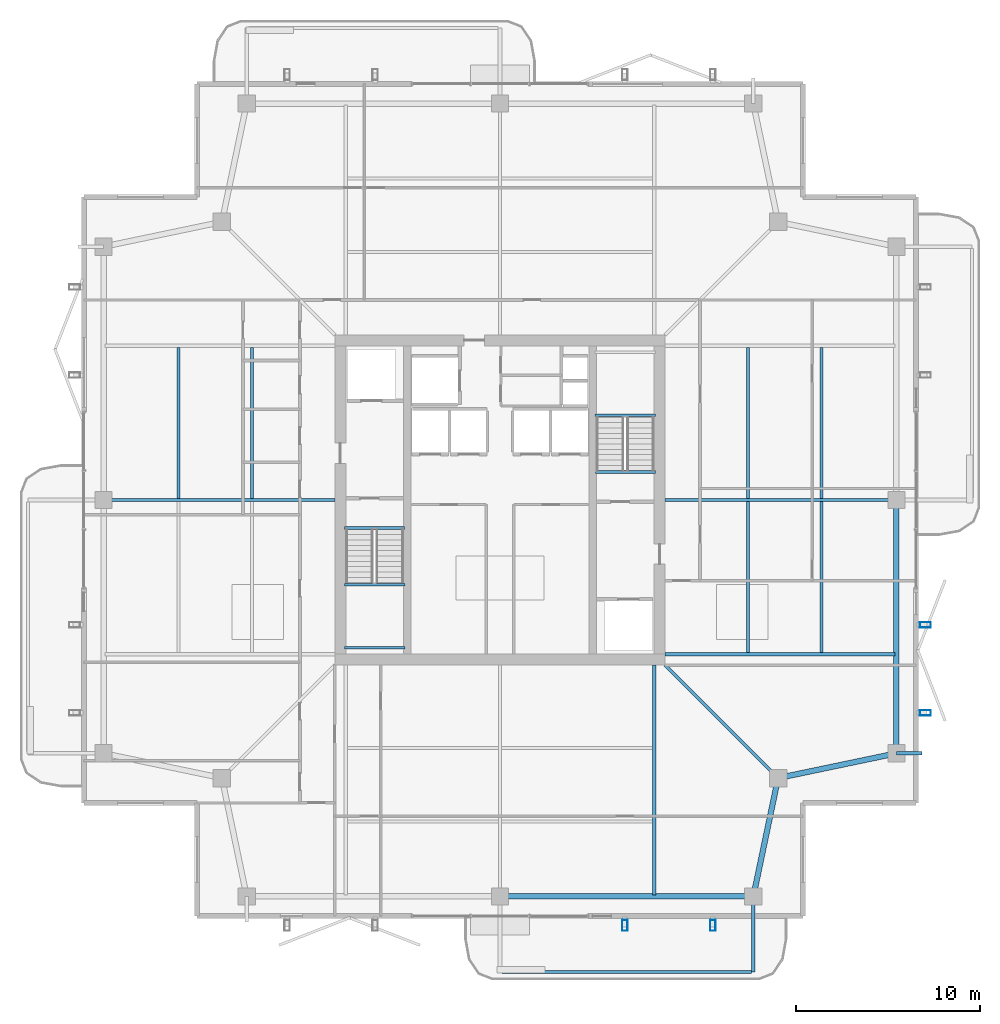
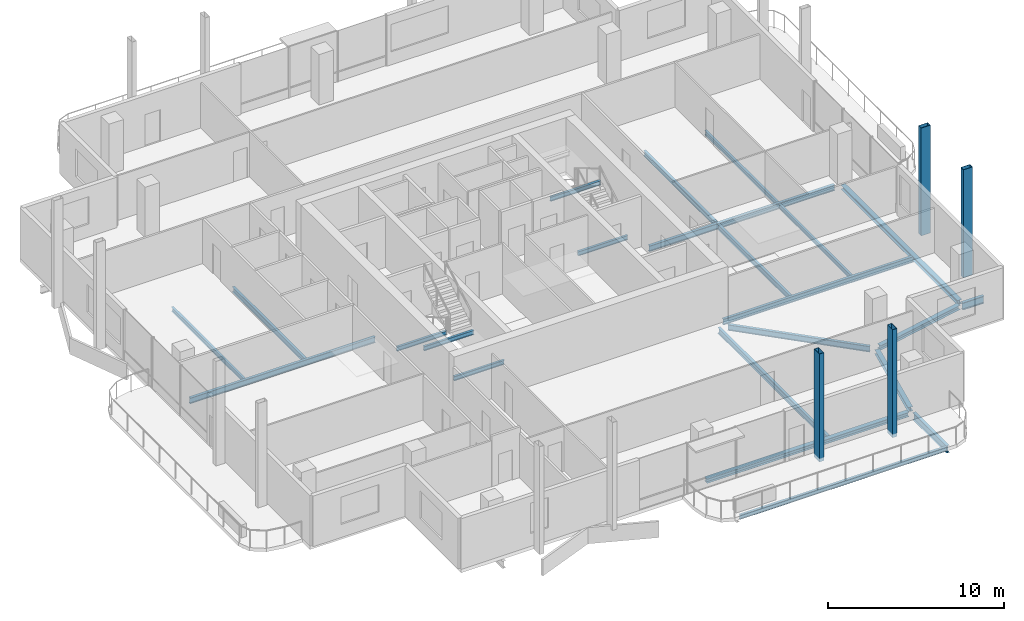
# One storey, part 8 of 20: 23 beams, 4 members.
"""IFC4 building model written with IfcOpenShell, lengths in metres."""

import ifcopenshell
import ifcopenshell.guid

model = None  # the IFC model being written
_history = None  # IfcOwnerHistory: only IFC2X3 demands one
_inside = {}  # id of a spatial element -> (the spatial element, [elements in it])
_under = {}  # id of a project, library or spatial element -> (it, [spatial elements below it])
_declared = {}  # id of a project -> (the project, [libraries it declares])
_typed = {}  # id of a type object -> (the type object, [elements of that type])
_made_of = {}  # id of a material, layer set ... -> (it, [elements and type objects made of it])


def new_model(schema):
    """Start an empty IFC model of exactly this schema.

    Asked for "IFC4X3", IfcOpenShell would pick the latest addendum, in which some entities
    have other attributes; the version numbers below select the first issue.
    IFC2X3 requires an IfcOwnerHistory on every rooted entity: one is made here for all.
    """
    global model, _history
    if schema == "IFC4X3":
        model = ifcopenshell.file(schema_version=(4, 3, 0, 0))
    else:
        model = ifcopenshell.file(schema=schema)
    _inside.clear()
    _under.clear()
    _declared.clear()
    _typed.clear()
    _made_of.clear()
    _history = None
    if model.schema == "IFC2X3":
        org = make("IfcOrganization", Name="unknown")
        user = make(
            "IfcPersonAndOrganization",
            ThePerson=make("IfcPerson", FamilyName="unknown"),
            TheOrganization=org,
        )
        app = make(
            "IfcApplication",
            ApplicationDeveloper=org,
            Version="unknown",
            ApplicationFullName="unknown",
            ApplicationIdentifier="unknown",
        )
        _history = make(
            "IfcOwnerHistory",
            OwningUser=user,
            OwningApplication=app,
            ChangeAction="ADDED",
            CreationDate=0,
        )
    return model


def make(cls, **values):
    """One entity of the class cls with the attributes given. An attribute that is None is left unset."""
    return model.create_entity(
        cls, **{name: value for name, value in values.items() if value is not None}
    )


def rooted(cls, **values):
    """An entity with a GlobalId (a new one), such as an element, a storey or a relation."""
    return make(cls, GlobalId=ifcopenshell.guid.new(), OwnerHistory=_history, **values)


def si_unit(unit_type, name, prefix=None):
    """IfcSIUnit, for example si_unit("LENGTHUNIT", "METRE", prefix="MILLI")."""
    return make("IfcSIUnit", UnitType=unit_type, Prefix=prefix, Name=name)


def assignment(units):
    """IfcUnitAssignment: the units of a project."""
    return None if units is None else make("IfcUnitAssignment", Units=units)


def point(xyz):
    """IfcCartesianPoint."""
    return None if xyz is None else make("IfcCartesianPoint", Coordinates=xyz)


def direction(xyz):
    """IfcDirection."""
    return None if xyz is None else make("IfcDirection", DirectionRatios=xyz)


def frame(location, z_axis=None, x_axis=None):
    """IfcAxis2Placement3D, a coordinate frame: its origin and axes. An axis left out is left unset."""
    return make(
        "IfcAxis2Placement3D",
        Location=point(location),
        Axis=direction(z_axis),
        RefDirection=direction(x_axis),
    )


def frame_2d(location, x_axis=None):
    """IfcAxis2Placement2D, a coordinate frame in the plane: its origin and x axis."""
    return make(
        "IfcAxis2Placement2D", Location=point(location), RefDirection=direction(x_axis)
    )


def origin():
    """The frame at (0, 0, 0) with its axes left unset."""
    return frame((0.0, 0.0, 0.0))


def origin_2d():
    """The frame at (0, 0) in the plane with its x axis left unset."""
    return frame_2d((0.0, 0.0))


def place(relative_to, where):
    """IfcLocalPlacement: puts the frame where relative to a parent placement (None: the world)."""
    return make(
        "IfcLocalPlacement", PlacementRelTo=relative_to, RelativePlacement=where
    )


def context(
    kind, dimensions, precision=None, world=None, true_north=None, identifier=None
):
    """IfcGeometricRepresentationContext, for example the 3D "Model" context."""
    return make(
        "IfcGeometricRepresentationContext",
        ContextIdentifier=identifier,
        ContextType=kind,
        CoordinateSpaceDimension=dimensions,
        Precision=precision,
        WorldCoordinateSystem=world,
        TrueNorth=true_north,
    )


def subcontext(parent, identifier, kind, view, scale=None):
    """IfcGeometricRepresentationSubContext, for example "Body" below "Model"."""
    return make(
        "IfcGeometricRepresentationSubContext",
        ContextIdentifier=identifier,
        ContextType=kind,
        ParentContext=parent,
        TargetScale=scale,
        TargetView=view,
    )


def project(units=None, contexts=None):
    """IfcProject with its units and contexts."""
    return rooted(
        "IfcProject",
        Name="project",
        RepresentationContexts=contexts,
        UnitsInContext=assignment(units),
    )


def spatial(cls, under=None, at=None, **own):
    """A site, building, storey or space (cls), placed at a placement, below another one or the project."""
    s = rooted(cls, ObjectPlacement=at, **own)
    if under is not None:
        _under.setdefault(under.id(), (under, []))[1].append(s)
    return s


def profile(cls, at=None, kind="AREA", **sizes):
    """A parametric profile (cls). Its sizes go by their IFC names, for example OverallWidth=200.0."""
    return make(cls, ProfileType=kind, Position=at, **sizes)


def hollow_rectangle(**sizes):
    """IfcRectangleHollowProfileDef."""
    return profile("IfcRectangleHollowProfileDef", **sizes)


def i_section(**sizes):
    """IfcIShapeProfileDef."""
    return profile("IfcIShapeProfileDef", **sizes)


def extrude(swept, where, along, depth):
    """IfcExtrudedAreaSolid: the profile swept, set in the frame where, extruded along a direction by depth."""
    return make(
        "IfcExtrudedAreaSolid",
        SweptArea=swept,
        Position=where,
        ExtrudedDirection=direction(along),
        Depth=depth,
    )


def shape(context_of_items, identifier, shape_type, items):
    """IfcShapeRepresentation: the items that make up one representation, for example the "Body"."""
    return make(
        "IfcShapeRepresentation",
        ContextOfItems=context_of_items,
        RepresentationIdentifier=identifier,
        RepresentationType=shape_type,
        Items=items,
    )


def material(Name=None, Category=None):
    """IfcMaterial."""
    return make("IfcMaterial", Name=Name, Category=Category)


def material_profile(
    of_material, cross_section, Name=None, Category=None, Priority=None
):
    """IfcMaterialProfile: a cross section and its material."""
    return make(
        "IfcMaterialProfile",
        Name=Name,
        Material=of_material,
        Profile=cross_section,
        Priority=Priority,
        Category=Category,
    )


def profile_set(profiles, Name=None, composite=None):
    """IfcMaterialProfileSet."""
    return make(
        "IfcMaterialProfileSet",
        Name=Name,
        MaterialProfiles=profiles,
        CompositeProfile=composite,
    )


def made_of(thing, what):
    """Note that an element or type object is made of a material, layer set ...; save() writes the relation."""
    if what is not None:
        _made_of.setdefault(what.id(), (what, []))[1].append(thing)
    return thing


def type_object(cls, material=None, **own):
    """A type object (cls), such as IfcWallType, which elements share."""
    return made_of(rooted(cls, **own), material)


def element(
    cls,
    number,
    at=None,
    inside=None,
    cuts=None,
    type_object=None,
    material=None,
    context=None,
    identifier="Body",
    shape_type=None,
    held_by="IfcProductDefinitionShape",
    body=None,
    shapes=None,
    **own,
):
    """One element of the class cls, such as IfcWall. Its Tag is "e" and its number.

    at: its placement. inside: the storey or other place that contains it. cuts: it is an
    opening in that element (IfcRelVoidsElement). A single representation is given by context,
    identifier, shape_type and body (its items); several are given by shapes. held_by: the class
    of the entity that holds the representations. save() writes the other relations.
    """
    e = rooted(cls, Tag="e%d" % number, ObjectPlacement=at, **own)
    if body is not None:
        shapes = [shape(context, identifier, shape_type, body)]
    if shapes is not None:
        e.Representation = make(held_by, Representations=shapes)
    if inside is not None:
        _inside.setdefault(inside.id(), (inside, []))[1].append(e)
    if cuts is not None:
        rooted(
            "IfcRelVoidsElement", RelatingBuildingElement=cuts, RelatedOpeningElement=e
        )
    if type_object is not None:
        _typed.setdefault(type_object.id(), (type_object, []))[1].append(e)
    return made_of(e, material)


def aggregate(whole, parts):
    """IfcRelAggregates: a whole, such as a stair, and the parts it consists of."""
    return rooted("IfcRelAggregates", RelatingObject=whole, RelatedObjects=parts)


def save(model, path):
    """Write the relations noted so far, then the file.

    IfcRelAggregates (storeys below a building ...), IfcRelContainedInSpatialStructure (elements
    in a storey), IfcRelDefinesByType, IfcRelAssociatesMaterial and IfcRelDeclares: one each for
    every whole, place, type object, material and project.
    """
    for whole, parts in _under.values():
        aggregate(whole, parts)
    for where, things in _inside.values():
        rooted(
            "IfcRelContainedInSpatialStructure",
            RelatedElements=things,
            RelatingStructure=where,
        )
    for kind, things in _typed.values():
        rooted("IfcRelDefinesByType", RelatedObjects=things, RelatingType=kind)
    for what, things in _made_of.values():
        rooted("IfcRelAssociatesMaterial", RelatedObjects=things, RelatingMaterial=what)
    for by, libraries in _declared.values():
        rooted("IfcRelDeclares", RelatingContext=by, RelatedDefinitions=libraries)
    model.write(path)


model = new_model("IFC4")

# Units and contexts
model_context = context("Model", 3, precision=1e-05, world=origin(), true_north=direction((0.0, 1.0)))
body_context = subcontext(model_context, "Body", "Model", "MODEL_VIEW")
ifc_project = project(units=[si_unit("LENGTHUNIT", "METRE"), si_unit("AREAUNIT", "SQUARE_METRE"), si_unit("VOLUMEUNIT", "CUBIC_METRE"), si_unit("PLANEANGLEUNIT", "RADIAN"), si_unit("MASSUNIT", "GRAM", prefix="KILO")], contexts=[model_context])

# Site, building, storey
site_placement = place(None, origin())
site = spatial("IfcSite", under=ifc_project, at=site_placement, CompositionType="ELEMENT")
building_placement = place(site_placement, origin())
building = spatial("IfcBuilding", under=site, at=building_placement, Name="Belovzor Exchange Tower", CompositionType="ELEMENT")
storey_placement = place(building_placement, frame((0.0, 0.0, 306.75)))
storey = spatial("IfcBuildingStorey", under=building, at=storey_placement, Name="L76", CompositionType="ELEMENT", Elevation=306.75)

# Beams
ifc_material_1 = material(Name="Steel S355", Category="steel")
ifc_material_profile_1 = material_profile(ifc_material_1, i_section(OverallWidth=0.199951171875, OverallDepth=0.5, WebThickness=0.01025390625, FlangeThickness=0.01611328125, at=origin_2d()))
ifc_profile_set_1 = profile_set([ifc_material_profile_1], Name="Steel S355")
beam_type_1 = type_object("IfcBeamType", Name="Planted Balcony Cantilever Beam IPE 500", PredefinedType="BEAM", material=ifc_profile_set_1)
beam_1_placement = place(storey_placement, frame((42.60009765625, 6.93896484375, -0.489990234375), z_axis=(0.0, -1.0, 0.0), x_axis=(1.0, 0.0, 0.0)))
element("IfcBeam", 1, at=beam_1_placement, inside=storey, type_object=beam_type_1, Name="BC-500 Planted Balcony Cantilever Beam IPE 500", PredefinedType="BEAM", context=body_context, shape_type="SweptSolid", body=[
    extrude(i_section(OverallWidth=0.199951171875, OverallDepth=0.5, WebThickness=0.01025390625, FlangeThickness=0.01611328125, at=origin_2d()), origin(), (0.0, 0.0, 1.0), 3.849853515625),
])
beam_2_placement = place(storey_placement, frame((50.39990234375, 15.0, -0.489990234375), z_axis=(1.0, 0.0, 0.0), x_axis=(0.0, 1.0, 0.0)))
element("IfcBeam", 2, at=beam_2_placement, inside=storey, type_object=beam_type_1, Name="BC-500 Planted Balcony Cantilever Beam IPE 500", PredefinedType="BEAM", context=body_context, shape_type="SweptSolid", body=[
    extrude(i_section(OverallWidth=0.199951171875, OverallDepth=0.5, WebThickness=0.01025390625, FlangeThickness=0.01611328125, at=origin_2d()), origin(), (0.0, 0.0, 1.0), 1.400146484375),
])
ifc_material_2 = material(Name="Steel S355", Category="steel")
ifc_material_profile_2 = material_profile(ifc_material_2, i_section(OverallWidth=0.14990234375, OverallDepth=0.300048828125, WebThickness=0.007080078125, FlangeThickness=0.0107421875, at=origin_2d()))
ifc_profile_set_2 = profile_set([ifc_material_profile_2], Name="Steel S355")
beam_type_2 = type_object("IfcBeamType", Name="Planted Balcony Fascia Edge Beam IPE 300", PredefinedType="BEAM", material=ifc_profile_set_2)
beam_3_placement = place(storey_placement, frame((28.89990234375, 3.089111328125, -0.389892578125), z_axis=(1.0, 0.0, 0.0), x_axis=(0.0, 1.0, 0.0)))
element("IfcBeam", 3, at=beam_3_placement, inside=storey, type_object=beam_type_2, Name="BC-300 Planted Balcony Fascia Edge Beam IPE 300", PredefinedType="BEAM", context=body_context, shape_type="SweptSolid", body=[
    extrude(i_section(OverallWidth=0.14990234375, OverallDepth=0.300048828125, WebThickness=0.007080078125, FlangeThickness=0.0107421875, at=origin_2d()), origin(), (0.0, 0.0, 1.0), 13.60009765625),
])
ifc_material_3 = material(Name="Steel S355", Category="steel")
ifc_material_profile_3 = material_profile(ifc_material_3, i_section(OverallWidth=0.169921875, OverallDepth=0.360107421875, WebThickness=0.008056640625, FlangeThickness=0.0126953125, at=origin_2d()))
ifc_profile_set_3 = profile_set([ifc_material_profile_3], Name="Steel S355")
beam_type_3 = type_object("IfcBeamType", Name="Secondary Infill Floor Joist IPE 360", PredefinedType="BEAM", material=ifc_profile_set_3)
beam_4_placement = place(storey_placement, frame((15.291015625, 28.889892578125, -0.419921875), z_axis=(0.0, 1.0, 0.0), x_axis=(-1.0, 0.0, 0.0)))
element("IfcBeam", 4, at=beam_4_placement, inside=storey, type_object=beam_type_3, Name="FJ-360 Secondary Infill Floor Joist IPE 360", PredefinedType="BEAM", context=body_context, shape_type="SweptSolid", body=[
    extrude(i_section(OverallWidth=0.169921875, OverallDepth=0.360107421875, WebThickness=0.008056640625, FlangeThickness=0.0126953125, at=origin_2d()), origin(), (0.0, 0.0, 1.0), 8.22021484375),
])
beam_5_placement = place(storey_placement, frame((42.30908203125, 20.489990234375, -0.419921875), z_axis=(0.0, 1.0, 0.0), x_axis=(-1.0, 0.0, 0.0)))
element("IfcBeam", 5, at=beam_5_placement, inside=storey, type_object=beam_type_3, Name="FJ-360 Secondary Infill Floor Joist IPE 360", PredefinedType="BEAM", context=body_context, shape_type="SweptSolid", body=[
    extrude(i_section(OverallWidth=0.169921875, OverallDepth=0.360107421875, WebThickness=0.008056640625, FlangeThickness=0.0126953125, at=origin_2d()), origin(), (0.0, 0.0, 1.0), 8.219970703125),
])
beam_6_placement = place(storey_placement, frame((42.30908203125, 28.889892578125, -0.419921875), z_axis=(0.0, 1.0, 0.0), x_axis=(-1.0, 0.0, 0.0)))
element("IfcBeam", 6, at=beam_6_placement, inside=storey, type_object=beam_type_3, Name="FJ-360 Secondary Infill Floor Joist IPE 360", PredefinedType="BEAM", context=body_context, shape_type="SweptSolid", body=[
    extrude(i_section(OverallWidth=0.169921875, OverallDepth=0.360107421875, WebThickness=0.008056640625, FlangeThickness=0.0126953125, at=origin_2d()), origin(), (0.0, 0.0, 1.0), 8.22021484375),
])
ifc_material_4 = material(Name="Steel S355", Category="steel")
ifc_material_profile_4 = material_profile(ifc_material_4, i_section(OverallWidth=0.14990234375, OverallDepth=0.300048828125, WebThickness=0.007080078125, FlangeThickness=0.0107421875, at=origin_2d()))
ifc_profile_set_4 = profile_set([ifc_material_profile_4], Name="Steel S355")
beam_type_4 = type_object("IfcBeamType", Name="Secondary Trim Floor Joist IPE 300", PredefinedType="BEAM", material=ifc_profile_set_4)
for number, where, z_axis, x_axis, name in (
    (7, (20.320068359375, 24.179931640625, 1.52490234375), (1.0, 0.0, 0.0), (0.0, 1.0, 0.0), "FJ-300 Secondary Trim Floor Joist IPE 300"),
    (8, (20.320068359375, 20.75, 1.52490234375), (1.0, 0.0, 0.0), (0.0, 1.0, 0.0), "FJ-300 Secondary Trim Floor Joist IPE 300"),
):
    element("IfcBeam", number, at=place(storey_placement, frame(where, z_axis=z_axis, x_axis=x_axis)), inside=storey, type_object=beam_type_4, Name=name, PredefinedType="BEAM", context=body_context, shape_type="SweptSolid", body=[
        extrude(i_section(OverallWidth=0.14990234375, OverallDepth=0.300048828125, WebThickness=0.007080078125, FlangeThickness=0.0107421875, at=origin_2d()), origin(), (0.0, 0.0, 1.0), 3.309814453125),
    ])
beam_7_placement = place(storey_placement, frame((20.340087890625, 27.280029296875, -0.389892578125), z_axis=(1.0, 0.0, 0.0), x_axis=(0.0, 1.0, 0.0)))
element("IfcBeam", 9, at=beam_7_placement, inside=storey, type_object=beam_type_4, Name="FJ-300 Secondary Trim Floor Joist IPE 300", PredefinedType="BEAM", context=body_context, shape_type="SweptSolid", body=[
    extrude(i_section(OverallWidth=0.14990234375, OverallDepth=0.300048828125, WebThickness=0.007080078125, FlangeThickness=0.0107421875, at=origin_2d()), origin(), (0.0, 0.0, 1.0), 3.27001953125),
])
beam_8_placement = place(storey_placement, frame((37.280029296875, 33.419921875, 1.52490234375), z_axis=(-1.0, 0.0, 0.0), x_axis=(0.0, -1.0, 0.0)))
element("IfcBeam", 10, at=beam_8_placement, inside=storey, type_object=beam_type_4, Name="FJ-300 Secondary Trim Floor Joist IPE 300", PredefinedType="BEAM", context=body_context, shape_type="SweptSolid", body=[
    extrude(i_section(OverallWidth=0.14990234375, OverallDepth=0.300048828125, WebThickness=0.007080078125, FlangeThickness=0.0107421875, at=origin_2d()), origin(), (0.0, 0.0, 1.0), 3.31005859375),
])
beam_9_placement = place(storey_placement, frame((37.260009765625, 30.320068359375, -0.389892578125), z_axis=(-1.0, 0.0, 0.0), x_axis=(0.0, -1.0, 0.0)))
element("IfcBeam", 11, at=beam_9_placement, inside=storey, type_object=beam_type_4, Name="FJ-300 Secondary Trim Floor Joist IPE 300", PredefinedType="BEAM", context=body_context, shape_type="SweptSolid", body=[
    extrude(i_section(OverallWidth=0.14990234375, OverallDepth=0.300048828125, WebThickness=0.007080078125, FlangeThickness=0.0107421875, at=origin_2d()), origin(), (0.0, 0.0, 1.0), 3.27001953125),
])
beam_10_placement = place(storey_placement, frame((11.282958984375, 28.889892578125, -0.389892578125), z_axis=(0.0, 1.0, 0.0), x_axis=(-1.0, 0.0, 0.0)))
element("IfcBeam", 12, at=beam_10_placement, inside=storey, type_object=beam_type_4, Name="FJ-300 Secondary Trim Floor Joist IPE 300", PredefinedType="BEAM", context=body_context, shape_type="SweptSolid", body=[
    extrude(i_section(OverallWidth=0.14990234375, OverallDepth=0.300048828125, WebThickness=0.007080078125, FlangeThickness=0.0107421875, at=origin_2d()), origin(), (0.0, 0.0, 1.0), 8.22021484375),
])
beam_11_placement = place(storey_placement, frame((46.31689453125, 20.489990234375, -0.389892578125), z_axis=(0.0, 1.0, 0.0), x_axis=(-1.0, 0.0, 0.0)))
element("IfcBeam", 13, at=beam_11_placement, inside=storey, type_object=beam_type_4, Name="FJ-300 Secondary Trim Floor Joist IPE 300", PredefinedType="BEAM", context=body_context, shape_type="SweptSolid", body=[
    extrude(i_section(OverallWidth=0.14990234375, OverallDepth=0.300048828125, WebThickness=0.007080078125, FlangeThickness=0.0107421875, at=origin_2d()), origin(), (0.0, 0.0, 1.0), 8.219970703125),
])
beam_12_placement = place(storey_placement, frame((46.31689453125, 28.889892578125, -0.389892578125), z_axis=(0.0, 1.0, 0.0), x_axis=(-1.0, 0.0, 0.0)))
element("IfcBeam", 14, at=beam_12_placement, inside=storey, type_object=beam_type_4, Name="FJ-300 Secondary Trim Floor Joist IPE 300", PredefinedType="BEAM", context=body_context, shape_type="SweptSolid", body=[
    extrude(i_section(OverallWidth=0.14990234375, OverallDepth=0.300048828125, WebThickness=0.007080078125, FlangeThickness=0.0107421875, at=origin_2d()), origin(), (0.0, 0.0, 1.0), 8.22021484375),
])

# Members
ifc_material_5 = material(Name="Extruded Architectural Terracotta on Steel S355 Carrier", Category="masonry")
ifc_material_profile_5 = material_profile(ifc_material_5, hollow_rectangle(XDim=0.300048828125, YDim=0.60009765625, WallThickness=0.01611328125, at=origin_2d()))
ifc_profile_set_5 = profile_set([ifc_material_profile_5], Name="Extruded Architectural Terracotta on Steel S355 Carrier")
member_type = type_object("IfcMemberType", Name="Upper Crown Terracotta Fin Assembly 550", PredefinedType="USERDEFINED", material=ifc_profile_set_5)
for number, where, z_axis, x_axis, name in (
    (15, (51.97509765625, 17.199951171875, -0.239990234375), (0.0, 0.0, 1.0), (0.0, 1.0, 0.0), "FIN-TC055 Terracotta Facade Fin L76 E1"),
    (16, (51.97509765625, 22.0, -0.239990234375), (0.0, 0.0, 1.0), (0.0, 1.0, 0.0), "FIN-TC055 Terracotta Facade Fin L76 E2"),
    (17, (35.60009765625, 5.625, -0.239990234375), (0.0, 0.0, 1.0), (1.0, 0.0, 0.0), "FIN-TC055 Terracotta Facade Fin L76 S3"),
    (18, (40.39990234375, 5.625, -0.239990234375), (0.0, 0.0, 1.0), (1.0, 0.0, 0.0), "FIN-TC055 Terracotta Facade Fin L76 S4"),
):
    element("IfcMember", number, at=place(storey_placement, frame(where, z_axis=z_axis, x_axis=x_axis)), inside=storey, type_object=member_type, Name=name, ObjectType="FIN", PredefinedType="USERDEFINED", context=body_context, shape_type="SweptSolid", body=[
        extrude(hollow_rectangle(XDim=0.300048828125, YDim=0.60009765625, WallThickness=0.01611328125, at=origin_2d()), origin(), (0.0, 0.0, 1.0), 7.5),
    ])

# Beams
ifc_material_6 = material(Name="Steel S355", Category="steel")
ifc_material_profile_6 = material_profile(ifc_material_6, i_section(OverallWidth=0.179931640625, OverallDepth=0.39990234375, WebThickness=0.008544921875, FlangeThickness=0.013427734375, at=origin_2d()))
ifc_profile_set_6 = profile_set([ifc_material_profile_6], Name="Steel S355")
beam_type_5 = type_object("IfcBeamType", Name="Zone 5-6 Radial Composite Floor Beam IPE 400", PredefinedType="BEAM", material=ifc_profile_set_6)
beam_13_placement = place(storey_placement, frame((37.199951171875, 19.800048828125, -0.43994140625), z_axis=(0.0, -1.0, 0.0), x_axis=(1.0, 0.0, 0.0)))
element("IfcBeam", 19, at=beam_13_placement, inside=storey, type_object=beam_type_5, Name="FB-400 Zone 5-6 Radial Composite Floor Beam IPE 400", PredefinedType="BEAM", context=body_context, shape_type="SweptSolid", body=[
    extrude(i_section(OverallWidth=0.179931640625, OverallDepth=0.39990234375, WebThickness=0.008544921875, FlangeThickness=0.013427734375, at=origin_2d()), origin(), (0.0, 0.0, 1.0), 12.525146484375),
])
beam_14_placement = place(storey_placement, frame((19.800048828125, 28.800048828125, -0.43994140625), z_axis=(-1.0, 0.0, 0.0), x_axis=(0.0, -1.0, 0.0)))
element("IfcBeam", 20, at=beam_14_placement, inside=storey, type_object=beam_type_5, Name="FB-400 Zone 5-6 Radial Composite Floor Beam IPE 400", PredefinedType="BEAM", context=body_context, shape_type="SweptSolid", body=[
    extrude(i_section(OverallWidth=0.179931640625, OverallDepth=0.39990234375, WebThickness=0.008544921875, FlangeThickness=0.013427734375, at=origin_2d()), origin(), (0.0, 0.0, 1.0), 12.18212890625),
])
beam_15_placement = place(storey_placement, frame((37.800048828125, 20.39990234375, -0.43994140625), z_axis=(1.0, 0.0, 0.0), x_axis=(0.0, 1.0, 0.0)))
element("IfcBeam", 21, at=beam_15_placement, inside=storey, type_object=beam_type_5, Name="FB-400 Zone 5-6 Radial Composite Floor Beam IPE 400", PredefinedType="BEAM", context=body_context, shape_type="SweptSolid", body=[
    extrude(i_section(OverallWidth=0.179931640625, OverallDepth=0.39990234375, WebThickness=0.008544921875, FlangeThickness=0.013427734375, at=origin_2d()), origin(), (0.0, 0.0, 1.0), 12.52490234375),
])
beam_16_placement = place(storey_placement, frame((37.800048828125, 28.800048828125, -0.43994140625), z_axis=(1.0, 0.0, 0.0), x_axis=(0.0, 1.0, 0.0)))
element("IfcBeam", 22, at=beam_16_placement, inside=storey, type_object=beam_type_5, Name="FB-400 Zone 5-6 Radial Composite Floor Beam IPE 400", PredefinedType="BEAM", context=body_context, shape_type="SweptSolid", body=[
    extrude(i_section(OverallWidth=0.179931640625, OverallDepth=0.39990234375, WebThickness=0.008544921875, FlangeThickness=0.013427734375, at=origin_2d()), origin(), (0.0, 0.0, 1.0), 12.181884765625),
])
beam_17_placement = place(storey_placement, frame((37.800048828125, 19.800048828125, -0.43994140625), z_axis=(0.707150577091, -0.707062982569, 0.0), x_axis=(0.707062982569, 0.707150577091, 0.0)))
element("IfcBeam", 23, at=beam_17_placement, inside=storey, type_object=beam_type_5, Name="FB-400 Zone 5-6 Radial Composite Floor Beam IPE 400", PredefinedType="BEAM", context=body_context, shape_type="SweptSolid", body=[
    extrude(i_section(OverallWidth=0.179931640625, OverallDepth=0.39990234375, WebThickness=0.008544921875, FlangeThickness=0.013427734375, at=origin_2d()), origin(), (0.0, 0.0, 1.0), 8.361572265625),
])
ifc_material_7 = material(Name="Steel S355", Category="steel")
ifc_material_profile_7 = material_profile(ifc_material_7, i_section(OverallWidth=0.300048828125, OverallDepth=0.300048828125, WebThickness=0.008544921875, FlangeThickness=0.013916015625, at=origin_2d()))
ifc_profile_set_7 = profile_set([ifc_material_profile_7], Name="Steel S355")
beam_type_6 = type_object("IfcBeamType", Name="Zone 6 Primary Girder HEA 300", PredefinedType="BEAM", material=ifc_profile_set_7)
beam_18_placement = place(storey_placement, frame((29.06103515625, 7.199951171875, -0.389892578125), z_axis=(1.0, 0.0, 0.0), x_axis=(0.0, 1.0, 0.0)))
element("IfcBeam", 24, at=beam_18_placement, inside=storey, type_object=beam_type_6, Name="FG-Z6 Zone 6 Primary Girder HEA 300", PredefinedType="BEAM", context=body_context, shape_type="SweptSolid", body=[
    extrude(i_section(OverallWidth=0.300048828125, OverallDepth=0.300048828125, WebThickness=0.008544921875, FlangeThickness=0.013916015625, at=origin_2d()), origin(), (0.0, 0.0, 1.0), 13.278076171875),
])
for number, where, z_axis, x_axis, name in (
    (25, (42.654052734375, 7.4560546875, -0.389892578125), (0.204722380619, 0.978820078908, 0.0), (-0.978820078908, 0.204722380619, 0.0), "FG-Z6 Zone 6 Primary Girder HEA 300"),
    (26, (44.2060546875, 13.7041015625, -0.389892578125), (0.978820078908, 0.204722380619, 0.0), (-0.204722380619, 0.978820078908, 0.0), "FG-Z6 Zone 6 Primary Girder HEA 300"),
):
    element("IfcBeam", number, at=place(storey_placement, frame(where, z_axis=z_axis, x_axis=x_axis)), inside=storey, type_object=beam_type_6, Name=name, PredefinedType="BEAM", context=body_context, shape_type="SweptSolid", body=[
        extrude(i_section(OverallWidth=0.300048828125, OverallDepth=0.300048828125, WebThickness=0.008544921875, FlangeThickness=0.013916015625, at=origin_2d()), origin(), (0.0, 0.0, 1.0), 6.06640625),
    ])
beam_19_placement = place(storey_placement, frame((50.39990234375, 15.260986328125, -0.389892578125), z_axis=(0.0, 1.0, 0.0), x_axis=(-1.0, 0.0, 0.0)))
element("IfcBeam", 27, at=beam_19_placement, inside=storey, type_object=beam_type_6, Name="FG-Z6 Zone 6 Primary Girder HEA 300", PredefinedType="BEAM", context=body_context, shape_type="SweptSolid", body=[
    extrude(i_section(OverallWidth=0.300048828125, OverallDepth=0.300048828125, WebThickness=0.008544921875, FlangeThickness=0.013916015625, at=origin_2d()), origin(), (0.0, 0.0, 1.0), 13.278076171875),
])

save(model, "model.ifc")
